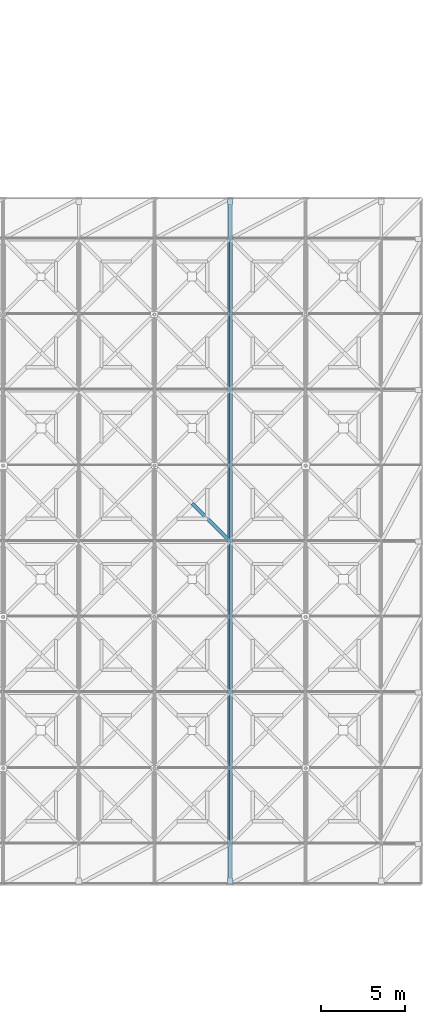
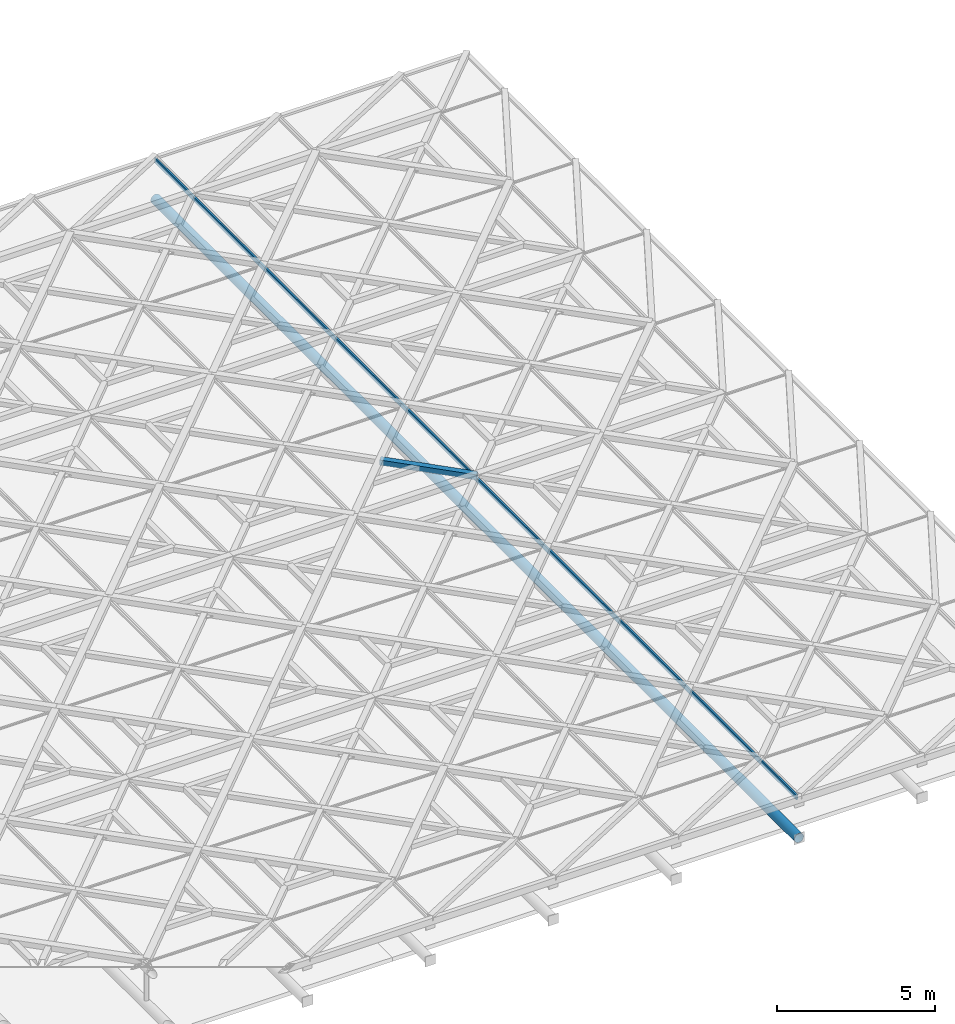
# One storey, part 43 of 80: 3 members, 1 element without a shape of its own.
"""IFC4 building model written with IfcOpenShell, lengths in metres."""

from ifc_helpers import new_model, si_unit, direction, frame, origin, origin_2d, place, context, subcontext, project, spatial, rectangle, hollow_rectangle, hollow_circle, extrude, material, material_profile, profile_set, type_object, element, aggregate, save


model = new_model("IFC4")

# Units and contexts
model_context = context("Model", 3, precision=1e-05, world=origin(), true_north=direction((0.0, 1.0)))
body_context = subcontext(model_context, "Body", "Model", "MODEL_VIEW")
ifc_project = project(units=[si_unit("LENGTHUNIT", "METRE"), si_unit("AREAUNIT", "SQUARE_METRE"), si_unit("VOLUMEUNIT", "CUBIC_METRE"), si_unit("PLANEANGLEUNIT", "RADIAN"), si_unit("MASSUNIT", "GRAM", prefix="KILO"), si_unit("THERMODYNAMICTEMPERATUREUNIT", "KELVIN"), si_unit("POWERUNIT", "WATT")], contexts=[model_context])

# Site, building, storey
site_placement = place(None, origin())
site = spatial("IfcSite", under=ifc_project, at=site_placement, CompositionType="ELEMENT")
building_placement = place(site_placement, origin())
building = spatial("IfcBuilding", under=site, at=building_placement, Name="Tallowbark Science Centre", CompositionType="ELEMENT")
storey_placement = place(building_placement, frame((0.0, 0.0, 25.949951171875)))
storey = spatial("IfcBuildingStorey", under=building, at=storey_placement, Name="ROOF", CompositionType="ELEMENT", Elevation=25.949951171875)

# Curtain wall, member
ifc_material_1 = material(Name="Blue-Tinted Laminated Low-E Skylight Glass", Category="glass")
curtain_wall_type = type_object("IfcCurtainWallType", Name="CW-SKY-ROOF", PredefinedType="NOTDEFINED", material=ifc_material_1)
curtain_wall_placement = place(storey_placement, origin())
curtain_wall = element("IfcCurtainWall", 1, at=curtain_wall_placement, inside=storey, type_object=curtain_wall_type, Name="Exhibition Star-Screen Skylight Bay 9", PredefinedType="NOTDEFINED")
ifc_material_2 = material(Name="Anodised Architectural Aluminium Alloy 6063-T6", Category="aluminium")
ifc_material_profile_1 = material_profile(ifc_material_2, rectangle(XDim=0.06494140625, YDim=0.179931640625, at=origin_2d()), Name="ALU65x180")
ifc_profile_set_1 = profile_set([ifc_material_profile_1], Name="Anodised Architectural Aluminium Alloy 6063-T6")
member_type_1 = type_object("IfcMemberType", Name="CWM-SKY-MUL", PredefinedType="MULLION", material=ifc_profile_set_1)
member_1_placement = place(storey_placement, frame((94.4599609375, 2.14990234375, 0.35205078125), z_axis=(0.0, 1.0, 0.0), x_axis=(-1.0, 0.0, 0.0)))
member_1 = element("IfcMember", 2, at=member_1_placement, type_object=member_type_1, Name="Skylight Bay 9 Mullion E", PredefinedType="MULLION", context=body_context, shape_type="SweptSolid", body=[
    extrude(rectangle(XDim=0.06494140625, YDim=0.179931640625, at=origin_2d()), origin(), (0.0, 0.0, 1.0), 40.7001953125),
])
aggregate(curtain_wall, [member_1])

# Members
ifc_material_3 = material(Name="White Architectural Painted Steel Grade C350L0 (350 MPa)", Category="steel")
ifc_material_profile_2 = material_profile(ifc_material_3, hollow_rectangle(XDim=0.199951171875, YDim=0.199951171875, WallThickness=0.009033203125, at=origin_2d()), Name="200x200x9.0SHS")
ifc_profile_set_2 = profile_set([ifc_material_profile_2], Name="White Architectural Painted Steel Grade C350L0 (350 MPa)")
member_type_2 = type_object("IfcMemberType", Name="SCR-STAR139", PredefinedType="BRACE", material=ifc_profile_set_2)
member_2_placement = place(storey_placement, frame((92.25, 24.75, 0.449951171875), z_axis=(0.707106781187, -0.707106781187, 0.0), x_axis=(0.707106781187, 0.707106781187, 0.0)))
element("IfcMember", 3, at=member_2_placement, inside=storey, type_object=member_type_2, Name="Star Screen Split X-Diagonal D2D TOP-68", PredefinedType="BRACE", context=body_context, shape_type="SweptSolid", body=[
    extrude(hollow_rectangle(XDim=0.199951171875, YDim=0.199951171875, WallThickness=0.009033203125, at=origin_2d()), origin(), (0.0, 0.0, 1.0), 3.181884765625),
])
ifc_material_profile_3 = material_profile(ifc_material_3, hollow_circle(Radius=0.177734375, WallThickness=0.0126953125, at=origin_2d()), Name="355.6x12.7CHS")
ifc_profile_set_3 = profile_set([ifc_material_profile_3], Name="White Architectural Painted Steel Grade C350L0 (350 MPa)")
member_type_3 = type_object("IfcMemberType", Name="TR-CHD355", PredefinedType="CHORD", material=ifc_profile_set_3)
member_3_placement = place(storey_placement, frame((94.5, 2.10009765625, -1.199951171875), z_axis=(0.0, 1.0, 0.0), x_axis=(-1.0, 0.0, 0.0)))
element("IfcMember", 4, at=member_3_placement, inside=storey, type_object=member_type_3, Name="Exhibition Roof Truss Bottom Chord 9", PredefinedType="CHORD", context=body_context, shape_type="SweptSolid", body=[
    extrude(hollow_circle(Radius=0.177734375, WallThickness=0.0126953125, at=origin_2d()), origin(), (0.0, 0.0, 1.0), 40.7998046875),
])

save(model, "model.ifc")
